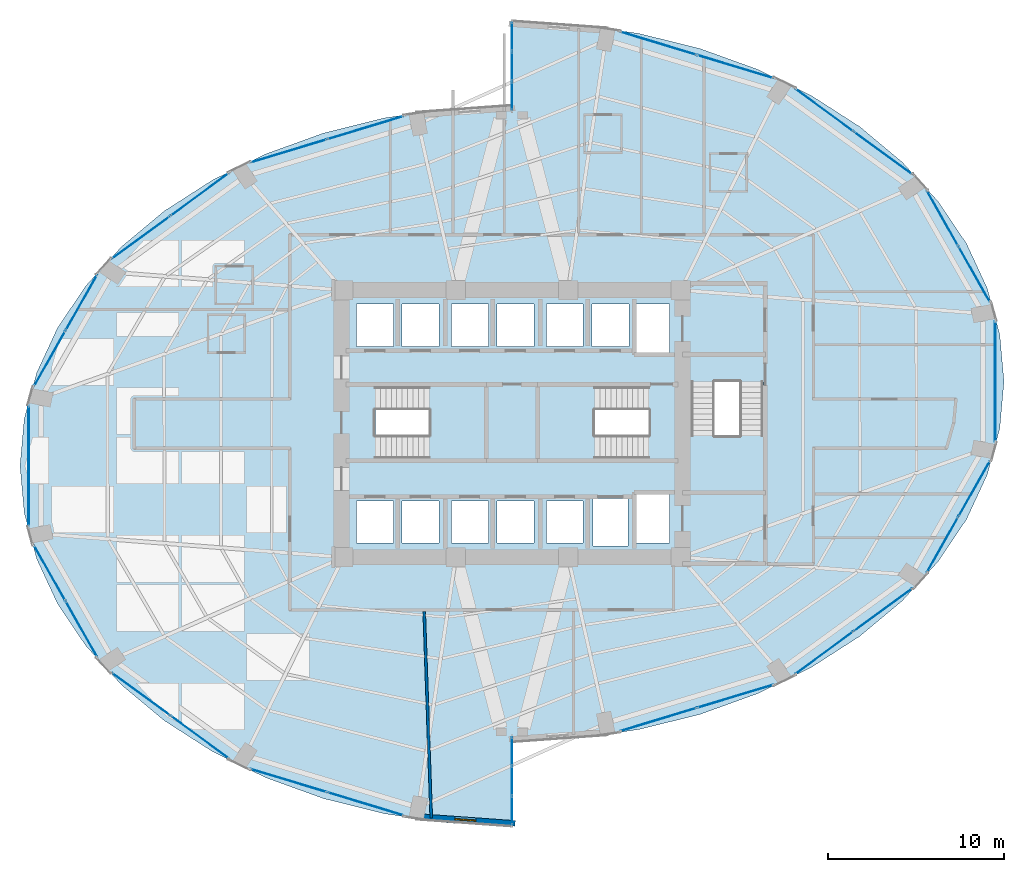
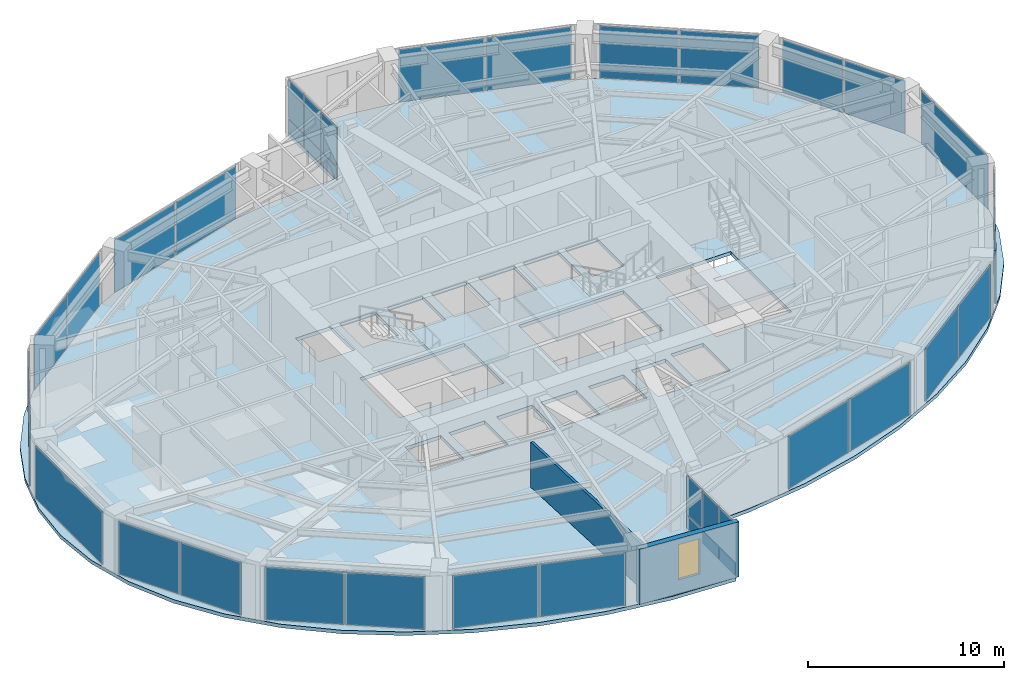
# One storey, part 20 of 25: 38 plates, 4 slabs, 2 walls, 1 window, 1 opening, 19 elements without a shape of their own.
"""IFC4 building model written with IfcOpenShell, lengths in metres."""

from ifc_helpers import new_model, si_unit, direction, frame, frame_2d, origin, origin_2d, place, context, subcontext, project, spatial, polyline, rectangle, outline, extrude, material, layer, layer_set, type_object, element, fill, aggregate, save


model = new_model("IFC4")

# Units and contexts
model_context = context("Model", 3, precision=1e-05, world=origin(), true_north=direction((0.0, 1.0)))
body_context = subcontext(model_context, "Body", "Model", "MODEL_VIEW")
ifc_project = project(units=[si_unit("LENGTHUNIT", "METRE"), si_unit("AREAUNIT", "SQUARE_METRE"), si_unit("VOLUMEUNIT", "CUBIC_METRE"), si_unit("PLANEANGLEUNIT", "RADIAN"), si_unit("MASSUNIT", "GRAM", prefix="KILO")], contexts=[model_context])

# Site, building, storey
site_placement = place(None, origin())
site = spatial("IfcSite", under=ifc_project, at=site_placement, CompositionType="ELEMENT")
building_placement = place(site_placement, origin())
building = spatial("IfcBuilding", under=site, at=building_placement, Name="Lazwardi Medical Tower", CompositionType="ELEMENT")
storey_placement = place(building_placement, frame((0.0, 0.0, 47.087890625)))
storey = spatial("IfcBuildingStorey", under=building, at=storey_placement, Name="L11", CompositionType="ELEMENT", Elevation=47.087890625)

# Curtain wall, plates
ifc_material_1 = material(Name="Anodised bronze aluminium and solar control glazing", Category="aluminium")
ifc_layer_1 = layer(ifc_material_1, 0.199951171875)
ifc_layer_set_1 = layer_set([ifc_layer_1], Name="Anodised bronze aluminium and solar control glazing")
curtain_wall_type_1 = type_object("IfcCurtainWallType", Name="CW-SYS-02", PredefinedType="NOTDEFINED", material=ifc_layer_set_1)
curtain_wall_1_placement = place(storey_placement, origin())
curtain_wall_1 = element("IfcCurtainWall", 1, at=curtain_wall_1_placement, inside=storey, type_object=curtain_wall_type_1, Name="L11 Unitised bronze curtain wall CW-02", PredefinedType="NOTDEFINED")
ifc_material_2 = material(Name="Low-e bronze solar control double glazing", Category="glass")
ifc_layer_2 = layer(ifc_material_2, 0.035888671875)
ifc_layer_set_2 = layer_set([ifc_layer_2], Name="Low-e bronze solar control double glazing")
plate_type_1 = type_object("IfcPlateType", Name="PLT-GLZ-01", PredefinedType="CURTAIN_PANEL", material=ifc_layer_set_2)
plate_1_placement = place(storey_placement, frame((44.335693359375, 11.158935546875, 0.0751953125), z_axis=(0.0, 0.0, 1.0), x_axis=(0.957058247129, 0.2898956909, 0.0)))
plate_1 = element("IfcPlate", 2, at=plate_1_placement, type_object=plate_type_1, Name="CW-02 panel 1.1", PredefinedType="CURTAIN_PANEL", context=body_context, shape_type="SweptSolid", body=[
    extrude(rectangle(XDim=4.49658203125, YDim=0.035888671875, at=origin_2d()), origin(), (0.0, 0.0, 1.0), 3.278076171875),
])
plate_2_placement = place(storey_placement, frame((48.7109375, 12.484130859375, 0.0751953125), z_axis=(0.0, 0.0, 1.0), x_axis=(0.957058247129, 0.2898956909, 0.0)))
plate_2 = element("IfcPlate", 3, at=plate_2_placement, type_object=plate_type_1, Name="CW-02 panel 2.1", PredefinedType="CURTAIN_PANEL", context=body_context, shape_type="SweptSolid", body=[
    extrude(rectangle(XDim=4.49658203125, YDim=0.035888671875, at=origin_2d()), origin(), (0.0, 0.0, 1.0), 3.278076171875),
])
aggregate(curtain_wall_1, [plate_1, plate_2])

curtain_wall_2_placement = place(storey_placement, origin())
curtain_wall_2 = element("IfcCurtainWall", 4, at=curtain_wall_2_placement, inside=storey, type_object=curtain_wall_type_1, Name="L11 Unitised bronze curtain wall CW-02", PredefinedType="NOTDEFINED")
plate_3_placement = place(storey_placement, frame((53.771484375, 14.957275390625, 0.0751953125), z_axis=(0.0, 0.0, 1.0), x_axis=(0.807191757663, 0.590289307341, 0.0)))
plate_3 = element("IfcPlate", 5, at=plate_3_placement, type_object=plate_type_1, Name="CW-02 panel 1.1", PredefinedType="CURTAIN_PANEL", context=body_context, shape_type="SweptSolid", body=[
    extrude(rectangle(XDim=4.070068359375, YDim=0.035888671875, at=origin_2d()), origin(), (0.0, 0.0, 1.0), 3.278076171875),
])
plate_4_placement = place(storey_placement, frame((57.117431640625, 17.404052734375, 0.0751953125), z_axis=(0.0, 0.0, 1.0), x_axis=(0.807191757663, 0.590289307341, 0.0)))
plate_4 = element("IfcPlate", 6, at=plate_4_placement, type_object=plate_type_1, Name="CW-02 panel 2.1", PredefinedType="CURTAIN_PANEL", context=body_context, shape_type="SweptSolid", body=[
    extrude(rectangle(XDim=4.070068359375, YDim=0.035888671875, at=origin_2d()), origin(), (0.0, 0.0, 1.0), 3.278076171875),
])
aggregate(curtain_wall_2, [plate_3, plate_4])

curtain_wall_3_placement = place(storey_placement, origin())
curtain_wall_3 = element("IfcCurtainWall", 7, at=curtain_wall_3_placement, inside=storey, type_object=curtain_wall_type_1, Name="L11 Unitised bronze curtain wall CW-02", PredefinedType="NOTDEFINED")
plate_5_placement = place(storey_placement, frame((60.5009765625, 21.10791015625, 0.0751953125), z_axis=(0.0, 0.0, 1.0), x_axis=(0.492854327303, 0.870111838823, 0.0)))
plate_5 = element("IfcPlate", 8, at=plate_5_placement, type_object=plate_type_1, Name="CW-02 panel 1.1", PredefinedType="CURTAIN_PANEL", context=body_context, shape_type="SweptSolid", body=[
    extrude(rectangle(XDim=3.5947265625, YDim=0.035888671875, at=origin_2d()), origin(), (0.0, 0.0, 1.0), 3.278076171875),
])
plate_6_placement = place(storey_placement, frame((62.3095703125, 24.301025390625, 0.0751953125), z_axis=(0.0, 0.0, 1.0), x_axis=(0.492854327303, 0.870111838823, 0.0)))
plate_6 = element("IfcPlate", 9, at=plate_6_placement, type_object=plate_type_1, Name="CW-02 panel 2.1", PredefinedType="CURTAIN_PANEL", context=body_context, shape_type="SweptSolid", body=[
    extrude(rectangle(XDim=3.5947265625, YDim=0.035888671875, at=origin_2d()), origin(), (0.0, 0.0, 1.0), 3.278076171875),
])
aggregate(curtain_wall_3, [plate_5, plate_6])

# Curtain wall, plate
curtain_wall_4_placement = place(storey_placement, origin())
curtain_wall_4 = element("IfcCurtainWall", 10, at=curtain_wall_4_placement, inside=storey, type_object=curtain_wall_type_1, Name="L11 Unitised bronze curtain wall CW-02", PredefinedType="NOTDEFINED")
plate_7_placement = place(storey_placement, frame((63.49853515625, 30.39990234375, 0.0751953125), z_axis=(0.0, 0.0, 1.0), x_axis=(0.0, 1.0, 0.0)))
plate_7 = element("IfcPlate", 11, at=plate_7_placement, type_object=plate_type_1, Name="CW-02 panel 1.1", PredefinedType="CURTAIN_PANEL", context=body_context, shape_type="SweptSolid", body=[
    extrude(rectangle(XDim=6.8330078125, YDim=0.035888671875, at=origin_2d()), origin(), (0.0, 0.0, 1.0), 3.278076171875),
])
aggregate(curtain_wall_4, [plate_7])

# Curtain wall, plates
curtain_wall_5_placement = place(storey_placement, origin())
curtain_wall_5 = element("IfcCurtainWall", 12, at=curtain_wall_5_placement, inside=storey, type_object=curtain_wall_type_1, Name="L11 Unitised bronze curtain wall CW-02", PredefinedType="NOTDEFINED")
plate_8_placement = place(storey_placement, frame((62.3095703125, 36.498779296875, 0.0751953125), z_axis=(0.0, 0.0, 1.0), x_axis=(-0.492854327303, 0.870111838823, 0.0)))
plate_8 = element("IfcPlate", 13, at=plate_8_placement, type_object=plate_type_1, Name="CW-02 panel 1.1", PredefinedType="CURTAIN_PANEL", context=body_context, shape_type="SweptSolid", body=[
    extrude(rectangle(XDim=3.5947265625, YDim=0.035888671875, at=origin_2d()), origin(), (0.0, 0.0, 1.0), 3.278076171875),
])
plate_9_placement = place(storey_placement, frame((60.5009765625, 39.69189453125, 0.0751953125), z_axis=(0.0, 0.0, 1.0), x_axis=(-0.492854327303, 0.870111838823, 0.0)))
plate_9 = element("IfcPlate", 14, at=plate_9_placement, type_object=plate_type_1, Name="CW-02 panel 2.1", PredefinedType="CURTAIN_PANEL", context=body_context, shape_type="SweptSolid", body=[
    extrude(rectangle(XDim=3.5947265625, YDim=0.035888671875, at=origin_2d()), origin(), (0.0, 0.0, 1.0), 3.278076171875),
])
aggregate(curtain_wall_5, [plate_8, plate_9])

curtain_wall_6_placement = place(storey_placement, origin())
curtain_wall_6 = element("IfcCurtainWall", 15, at=curtain_wall_6_placement, inside=storey, type_object=curtain_wall_type_1, Name="L11 Unitised bronze curtain wall CW-02", PredefinedType="NOTDEFINED")
plate_10_placement = place(storey_placement, frame((57.117431640625, 43.39599609375, 0.0751953125), z_axis=(0.0, 0.0, 1.0), x_axis=(-0.807191757663, 0.590289307341, 0.0)))
plate_10 = element("IfcPlate", 16, at=plate_10_placement, type_object=plate_type_1, Name="CW-02 panel 1.1", PredefinedType="CURTAIN_PANEL", context=body_context, shape_type="SweptSolid", body=[
    extrude(rectangle(XDim=4.070068359375, YDim=0.035888671875, at=origin_2d()), origin(), (0.0, 0.0, 1.0), 3.278076171875),
])
plate_11_placement = place(storey_placement, frame((53.771484375, 45.8427734375, 0.0751953125), z_axis=(0.0, 0.0, 1.0), x_axis=(-0.807191757663, 0.590289307341, 0.0)))
plate_11 = element("IfcPlate", 17, at=plate_11_placement, type_object=plate_type_1, Name="CW-02 panel 2.1", PredefinedType="CURTAIN_PANEL", context=body_context, shape_type="SweptSolid", body=[
    extrude(rectangle(XDim=4.070068359375, YDim=0.035888671875, at=origin_2d()), origin(), (0.0, 0.0, 1.0), 3.278076171875),
])
aggregate(curtain_wall_6, [plate_10, plate_11])

curtain_wall_7_placement = place(storey_placement, origin())
curtain_wall_7 = element("IfcCurtainWall", 18, at=curtain_wall_7_placement, inside=storey, type_object=curtain_wall_type_1, Name="L11 Unitised bronze curtain wall CW-02", PredefinedType="NOTDEFINED")
plate_12_placement = place(storey_placement, frame((48.7109375, 48.31591796875, 0.0751953125), z_axis=(0.0, 0.0, 1.0), x_axis=(-0.957058247129, 0.2898956909, 0.0)))
plate_12 = element("IfcPlate", 19, at=plate_12_placement, type_object=plate_type_1, Name="CW-02 panel 1.1", PredefinedType="CURTAIN_PANEL", context=body_context, shape_type="SweptSolid", body=[
    extrude(rectangle(XDim=4.49658203125, YDim=0.035888671875, at=origin_2d()), origin(), (0.0, 0.0, 1.0), 3.278076171875),
])
plate_13_placement = place(storey_placement, frame((44.335693359375, 49.64111328125, 0.0751953125), z_axis=(0.0, 0.0, 1.0), x_axis=(-0.957058247129, 0.2898956909, 0.0)))
plate_13 = element("IfcPlate", 20, at=plate_13_placement, type_object=plate_type_1, Name="CW-02 panel 2.1", PredefinedType="CURTAIN_PANEL", context=body_context, shape_type="SweptSolid", body=[
    extrude(rectangle(XDim=4.49658203125, YDim=0.035888671875, at=origin_2d()), origin(), (0.0, 0.0, 1.0), 3.278076171875),
])
aggregate(curtain_wall_7, [plate_12, plate_13])

curtain_wall_8_placement = place(storey_placement, origin())
curtain_wall_8 = element("IfcCurtainWall", 21, at=curtain_wall_8_placement, inside=storey, type_object=curtain_wall_type_1, Name="L11 Unitised bronze curtain wall CW-02", PredefinedType="NOTDEFINED")
plate_14_placement = place(storey_placement, frame((27.664306640625, 44.841064453125, 0.0751953125), z_axis=(0.0, 0.0, 1.0), x_axis=(-0.957058247129, -0.2898956909, 0.0)))
plate_14 = element("IfcPlate", 22, at=plate_14_placement, type_object=plate_type_1, Name="CW-02 panel 1.1", PredefinedType="CURTAIN_PANEL", context=body_context, shape_type="SweptSolid", body=[
    extrude(rectangle(XDim=4.49658203125, YDim=0.035888671875, at=origin_2d()), origin(), (0.0, 0.0, 1.0), 3.278076171875),
])
plate_15_placement = place(storey_placement, frame((23.2890625, 43.515869140625, 0.0751953125), z_axis=(0.0, 0.0, 1.0), x_axis=(-0.957058247129, -0.2898956909, 0.0)))
plate_15 = element("IfcPlate", 23, at=plate_15_placement, type_object=plate_type_1, Name="CW-02 panel 2.1", PredefinedType="CURTAIN_PANEL", context=body_context, shape_type="SweptSolid", body=[
    extrude(rectangle(XDim=4.49658203125, YDim=0.035888671875, at=origin_2d()), origin(), (0.0, 0.0, 1.0), 3.278076171875),
])
aggregate(curtain_wall_8, [plate_14, plate_15])

curtain_wall_9_placement = place(storey_placement, origin())
curtain_wall_9 = element("IfcCurtainWall", 24, at=curtain_wall_9_placement, inside=storey, type_object=curtain_wall_type_1, Name="L11 Unitised bronze curtain wall CW-02", PredefinedType="NOTDEFINED")
plate_16_placement = place(storey_placement, frame((18.228515625, 41.042724609375, 0.0751953125), z_axis=(0.0, 0.0, 1.0), x_axis=(-0.807191757663, -0.590289307341, 0.0)))
plate_16 = element("IfcPlate", 25, at=plate_16_placement, type_object=plate_type_1, Name="CW-02 panel 1.1", PredefinedType="CURTAIN_PANEL", context=body_context, shape_type="SweptSolid", body=[
    extrude(rectangle(XDim=4.070068359375, YDim=0.035888671875, at=origin_2d()), origin(), (0.0, 0.0, 1.0), 3.278076171875),
])
plate_17_placement = place(storey_placement, frame((14.882568359375, 38.595947265625, 0.0751953125), z_axis=(0.0, 0.0, 1.0), x_axis=(-0.807191757663, -0.590289307341, 0.0)))
plate_17 = element("IfcPlate", 26, at=plate_17_placement, type_object=plate_type_1, Name="CW-02 panel 2.1", PredefinedType="CURTAIN_PANEL", context=body_context, shape_type="SweptSolid", body=[
    extrude(rectangle(XDim=4.070068359375, YDim=0.035888671875, at=origin_2d()), origin(), (0.0, 0.0, 1.0), 3.278076171875),
])
aggregate(curtain_wall_9, [plate_16, plate_17])

curtain_wall_10_placement = place(storey_placement, origin())
curtain_wall_10 = element("IfcCurtainWall", 27, at=curtain_wall_10_placement, inside=storey, type_object=curtain_wall_type_1, Name="L11 Unitised bronze curtain wall CW-02", PredefinedType="NOTDEFINED")
plate_18_placement = place(storey_placement, frame((11.4990234375, 34.89208984375, 0.0751953125), z_axis=(0.0, 0.0, 1.0), x_axis=(-0.492854327303, -0.870111838823, 0.0)))
plate_18 = element("IfcPlate", 28, at=plate_18_placement, type_object=plate_type_1, Name="CW-02 panel 1.1", PredefinedType="CURTAIN_PANEL", context=body_context, shape_type="SweptSolid", body=[
    extrude(rectangle(XDim=3.5947265625, YDim=0.035888671875, at=origin_2d()), origin(), (0.0, 0.0, 1.0), 3.278076171875),
])
plate_19_placement = place(storey_placement, frame((9.6904296875, 31.698974609375, 0.0751953125), z_axis=(0.0, 0.0, 1.0), x_axis=(-0.492854327303, -0.870111838823, 0.0)))
plate_19 = element("IfcPlate", 29, at=plate_19_placement, type_object=plate_type_1, Name="CW-02 panel 2.1", PredefinedType="CURTAIN_PANEL", context=body_context, shape_type="SweptSolid", body=[
    extrude(rectangle(XDim=3.5947265625, YDim=0.035888671875, at=origin_2d()), origin(), (0.0, 0.0, 1.0), 3.278076171875),
])
aggregate(curtain_wall_10, [plate_18, plate_19])

# Curtain wall, plate
curtain_wall_11_placement = place(storey_placement, origin())
curtain_wall_11 = element("IfcCurtainWall", 30, at=curtain_wall_11_placement, inside=storey, type_object=curtain_wall_type_1, Name="L11 Unitised bronze curtain wall CW-02", PredefinedType="NOTDEFINED")
plate_20_placement = place(storey_placement, frame((8.50146484375, 25.60009765625, 0.0751953125), z_axis=(0.0, 0.0, 1.0), x_axis=(0.0, -1.0, 0.0)))
plate_20 = element("IfcPlate", 31, at=plate_20_placement, type_object=plate_type_1, Name="CW-02 panel 1.1", PredefinedType="CURTAIN_PANEL", context=body_context, shape_type="SweptSolid", body=[
    extrude(rectangle(XDim=6.8330078125, YDim=0.035888671875, at=origin_2d()), origin(), (0.0, 0.0, 1.0), 3.278076171875),
])
aggregate(curtain_wall_11, [plate_20])

# Curtain wall, plates
curtain_wall_12_placement = place(storey_placement, origin())
curtain_wall_12 = element("IfcCurtainWall", 32, at=curtain_wall_12_placement, inside=storey, type_object=curtain_wall_type_1, Name="L11 Unitised bronze curtain wall CW-02", PredefinedType="NOTDEFINED")
plate_21_placement = place(storey_placement, frame((9.6904296875, 19.501220703125, 0.0751953125), z_axis=(0.0, 0.0, 1.0), x_axis=(0.492854327303, -0.870111838823, 0.0)))
plate_21 = element("IfcPlate", 33, at=plate_21_placement, type_object=plate_type_1, Name="CW-02 panel 1.1", PredefinedType="CURTAIN_PANEL", context=body_context, shape_type="SweptSolid", body=[
    extrude(rectangle(XDim=3.5947265625, YDim=0.035888671875, at=origin_2d()), origin(), (0.0, 0.0, 1.0), 3.278076171875),
])
plate_22_placement = place(storey_placement, frame((11.4990234375, 16.30810546875, 0.0751953125), z_axis=(0.0, 0.0, 1.0), x_axis=(0.492854327303, -0.870111838823, 0.0)))
plate_22 = element("IfcPlate", 34, at=plate_22_placement, type_object=plate_type_1, Name="CW-02 panel 2.1", PredefinedType="CURTAIN_PANEL", context=body_context, shape_type="SweptSolid", body=[
    extrude(rectangle(XDim=3.5947265625, YDim=0.035888671875, at=origin_2d()), origin(), (0.0, 0.0, 1.0), 3.278076171875),
])
aggregate(curtain_wall_12, [plate_21, plate_22])

curtain_wall_13_placement = place(storey_placement, origin())
curtain_wall_13 = element("IfcCurtainWall", 35, at=curtain_wall_13_placement, inside=storey, type_object=curtain_wall_type_1, Name="L11 Unitised bronze curtain wall CW-02", PredefinedType="NOTDEFINED")
plate_23_placement = place(storey_placement, frame((14.882568359375, 12.60400390625, 0.0751953125), z_axis=(0.0, 0.0, 1.0), x_axis=(0.807191757663, -0.590289307341, 0.0)))
plate_23 = element("IfcPlate", 36, at=plate_23_placement, type_object=plate_type_1, Name="CW-02 panel 1.1", PredefinedType="CURTAIN_PANEL", context=body_context, shape_type="SweptSolid", body=[
    extrude(rectangle(XDim=4.070068359375, YDim=0.035888671875, at=origin_2d()), origin(), (0.0, 0.0, 1.0), 3.278076171875),
])
plate_24_placement = place(storey_placement, frame((18.228515625, 10.1572265625, 0.0751953125), z_axis=(0.0, 0.0, 1.0), x_axis=(0.807191757663, -0.590289307341, 0.0)))
plate_24 = element("IfcPlate", 37, at=plate_24_placement, type_object=plate_type_1, Name="CW-02 panel 2.1", PredefinedType="CURTAIN_PANEL", context=body_context, shape_type="SweptSolid", body=[
    extrude(rectangle(XDim=4.070068359375, YDim=0.035888671875, at=origin_2d()), origin(), (0.0, 0.0, 1.0), 3.278076171875),
])
aggregate(curtain_wall_13, [plate_23, plate_24])

curtain_wall_14_placement = place(storey_placement, origin())
curtain_wall_14 = element("IfcCurtainWall", 38, at=curtain_wall_14_placement, inside=storey, type_object=curtain_wall_type_1, Name="L11 Unitised bronze curtain wall CW-02", PredefinedType="NOTDEFINED")
plate_25_placement = place(storey_placement, frame((23.2890625, 7.68408203125, 0.0751953125), z_axis=(0.0, 0.0, 1.0), x_axis=(0.957058247129, -0.2898956909, 0.0)))
plate_25 = element("IfcPlate", 39, at=plate_25_placement, type_object=plate_type_1, Name="CW-02 panel 1.1", PredefinedType="CURTAIN_PANEL", context=body_context, shape_type="SweptSolid", body=[
    extrude(rectangle(XDim=4.49658203125, YDim=0.035888671875, at=origin_2d()), origin(), (0.0, 0.0, 1.0), 3.278076171875),
])
plate_26_placement = place(storey_placement, frame((27.664306640625, 6.35888671875, 0.0751953125), z_axis=(0.0, 0.0, 1.0), x_axis=(0.957058247129, -0.2898956909, 0.0)))
plate_26 = element("IfcPlate", 40, at=plate_26_placement, type_object=plate_type_1, Name="CW-02 panel 2.1", PredefinedType="CURTAIN_PANEL", context=body_context, shape_type="SweptSolid", body=[
    extrude(rectangle(XDim=4.49658203125, YDim=0.035888671875, at=origin_2d()), origin(), (0.0, 0.0, 1.0), 3.278076171875),
])
aggregate(curtain_wall_14, [plate_25, plate_26])

ifc_layer_3 = layer(ifc_material_1, 0.2099609375)
ifc_layer_set_3 = layer_set([ifc_layer_3], Name="Anodised bronze aluminium and solar control glazing")
curtain_wall_type_2 = type_object("IfcCurtainWallType", Name="CW-SYS-06", PredefinedType="NOTDEFINED", material=ifc_layer_set_3)
curtain_wall_15_placement = place(storey_placement, origin())
curtain_wall_15 = element("IfcCurtainWall", 41, at=curtain_wall_15_placement, inside=storey, type_object=curtain_wall_type_2, Name="L11 Unitised bronze curtain wall CW-06", PredefinedType="NOTDEFINED")
ifc_material_3 = material(Name="Turquoise glazed ceramic insulated panel", Category="glass")
ifc_layer_4 = layer(ifc_material_3, 0.053955078125)
ifc_layer_set_4 = layer_set([ifc_layer_4], Name="Turquoise glazed ceramic insulated panel")
plate_type_2 = type_object("IfcPlateType", Name="PLT-TRQ-01", PredefinedType="CURTAIN_PANEL", material=ifc_layer_set_4)
plate_27_placement = place(storey_placement, frame((36.0, 50.02783203125, 0.074951171875), z_axis=(0.0, 0.0, 1.0), x_axis=(0.0, -1.0, 0.0)))
plate_27 = element("IfcPlate", 42, at=plate_27_placement, type_object=plate_type_2, Name="CW-06 panel 1.1", PredefinedType="CURTAIN_PANEL", context=body_context, shape_type="SweptSolid", body=[
    extrude(rectangle(XDim=1.59423828125, YDim=0.053955078125, at=origin_2d()), origin(), (0.0, 0.0, 1.0), 0.78759765625),
])
plate_28_placement = place(storey_placement, frame((36.0, 50.02783203125, 0.9375), z_axis=(0.0, 0.0, 1.0), x_axis=(0.0, -1.0, 0.0)))
plate_28 = element("IfcPlate", 43, at=plate_28_placement, type_object=plate_type_2, Name="CW-06 panel 1.2", PredefinedType="CURTAIN_PANEL", context=body_context, shape_type="SweptSolid", body=[
    extrude(rectangle(XDim=1.59423828125, YDim=0.053955078125, at=origin_2d()), origin(), (0.0, 0.0, 1.0), 2.41552734375),
])
plate_29_placement = place(storey_placement, frame((36.0, 48.340087890625, 0.074951171875), z_axis=(0.0, 0.0, 1.0), x_axis=(0.0, -1.0, 0.0)))
plate_29 = element("IfcPlate", 44, at=plate_29_placement, type_object=plate_type_2, Name="CW-06 panel 2.1", PredefinedType="CURTAIN_PANEL", context=body_context, shape_type="SweptSolid", body=[
    extrude(rectangle(XDim=1.631591796875, YDim=0.053955078125, at=origin_2d()), origin(), (0.0, 0.0, 1.0), 0.78759765625),
])
plate_30_placement = place(storey_placement, frame((36.0, 48.340087890625, 0.9375), z_axis=(0.0, 0.0, 1.0), x_axis=(0.0, -1.0, 0.0)))
plate_30 = element("IfcPlate", 45, at=plate_30_placement, type_object=plate_type_2, Name="CW-06 panel 2.2", PredefinedType="CURTAIN_PANEL", context=body_context, shape_type="SweptSolid", body=[
    extrude(rectangle(XDim=1.631591796875, YDim=0.053955078125, at=origin_2d()), origin(), (0.0, 0.0, 1.0), 2.41552734375),
])
plate_31_placement = place(storey_placement, frame((36.0, 46.652099609375, 0.074951171875), z_axis=(0.0, 0.0, 1.0), x_axis=(0.0, -1.0, 0.0)))
plate_31 = element("IfcPlate", 46, at=plate_31_placement, type_object=plate_type_2, Name="CW-06 panel 3.1", PredefinedType="CURTAIN_PANEL", context=body_context, shape_type="SweptSolid", body=[
    extrude(rectangle(XDim=1.59423828125, YDim=0.053955078125, at=origin_2d()), origin(), (0.0, 0.0, 1.0), 0.78759765625),
])
plate_32_placement = place(storey_placement, frame((36.0, 46.652099609375, 0.9375), z_axis=(0.0, 0.0, 1.0), x_axis=(0.0, -1.0, 0.0)))
plate_32 = element("IfcPlate", 47, at=plate_32_placement, type_object=plate_type_2, Name="CW-06 panel 3.2", PredefinedType="CURTAIN_PANEL", context=body_context, shape_type="SweptSolid", body=[
    extrude(rectangle(XDim=1.59423828125, YDim=0.053955078125, at=origin_2d()), origin(), (0.0, 0.0, 1.0), 2.41552734375),
])
aggregate(curtain_wall_15, [plate_27, plate_28, plate_29, plate_30, plate_31, plate_32])

curtain_wall_16_placement = place(storey_placement, origin())
curtain_wall_16 = element("IfcCurtainWall", 48, at=curtain_wall_16_placement, inside=storey, type_object=curtain_wall_type_2, Name="L11 Unitised bronze curtain wall CW-06", PredefinedType="NOTDEFINED")
plate_33_placement = place(storey_placement, frame((36.0, 5.97216796875, 0.074951171875), z_axis=(0.0, 0.0, 1.0), x_axis=(0.0, 1.0, 0.0)))
plate_33 = element("IfcPlate", 49, at=plate_33_placement, type_object=plate_type_2, Name="CW-06 panel 1.1", PredefinedType="CURTAIN_PANEL", context=body_context, shape_type="SweptSolid", body=[
    extrude(rectangle(XDim=1.59423828125, YDim=0.053955078125, at=origin_2d()), origin(), (0.0, 0.0, 1.0), 0.78759765625),
])
plate_34_placement = place(storey_placement, frame((36.0, 5.97216796875, 0.9375), z_axis=(0.0, 0.0, 1.0), x_axis=(0.0, 1.0, 0.0)))
plate_34 = element("IfcPlate", 50, at=plate_34_placement, type_object=plate_type_2, Name="CW-06 panel 1.2", PredefinedType="CURTAIN_PANEL", context=body_context, shape_type="SweptSolid", body=[
    extrude(rectangle(XDim=1.59423828125, YDim=0.053955078125, at=origin_2d()), origin(), (0.0, 0.0, 1.0), 2.41552734375),
])
plate_35_placement = place(storey_placement, frame((36.0, 7.659912109375, 0.074951171875), z_axis=(0.0, 0.0, 1.0), x_axis=(0.0, 1.0, 0.0)))
plate_35 = element("IfcPlate", 51, at=plate_35_placement, type_object=plate_type_2, Name="CW-06 panel 2.1", PredefinedType="CURTAIN_PANEL", context=body_context, shape_type="SweptSolid", body=[
    extrude(rectangle(XDim=1.631591796875, YDim=0.053955078125, at=origin_2d()), origin(), (0.0, 0.0, 1.0), 0.78759765625),
])
plate_36_placement = place(storey_placement, frame((36.0, 7.659912109375, 0.9375), z_axis=(0.0, 0.0, 1.0), x_axis=(0.0, 1.0, 0.0)))
plate_36 = element("IfcPlate", 52, at=plate_36_placement, type_object=plate_type_2, Name="CW-06 panel 2.2", PredefinedType="CURTAIN_PANEL", context=body_context, shape_type="SweptSolid", body=[
    extrude(rectangle(XDim=1.631591796875, YDim=0.053955078125, at=origin_2d()), origin(), (0.0, 0.0, 1.0), 2.41552734375),
])
plate_37_placement = place(storey_placement, frame((36.0, 9.347900390625, 0.074951171875), z_axis=(0.0, 0.0, 1.0), x_axis=(0.0, 1.0, 0.0)))
plate_37 = element("IfcPlate", 53, at=plate_37_placement, type_object=plate_type_2, Name="CW-06 panel 3.1", PredefinedType="CURTAIN_PANEL", context=body_context, shape_type="SweptSolid", body=[
    extrude(rectangle(XDim=1.59423828125, YDim=0.053955078125, at=origin_2d()), origin(), (0.0, 0.0, 1.0), 0.78759765625),
])
plate_38_placement = place(storey_placement, frame((36.0, 9.347900390625, 0.9375), z_axis=(0.0, 0.0, 1.0), x_axis=(0.0, 1.0, 0.0)))
plate_38 = element("IfcPlate", 54, at=plate_38_placement, type_object=plate_type_2, Name="CW-06 panel 3.2", PredefinedType="CURTAIN_PANEL", context=body_context, shape_type="SweptSolid", body=[
    extrude(rectangle(XDim=1.59423828125, YDim=0.053955078125, at=origin_2d()), origin(), (0.0, 0.0, 1.0), 2.41552734375),
])
aggregate(curtain_wall_16, [plate_33, plate_34, plate_35, plate_36, plate_37, plate_38])

# Stair, slab
ifc_material_4 = material(Name="Concrete C45/55", Category="concrete")
stair_type = type_object("IfcStairType", Name="STR-WRD", PredefinedType="HALF_TURN_STAIR", material=ifc_material_4)
stair_1_placement = place(storey_placement, origin())
stair_1 = element("IfcStair", 55, at=stair_1_placement, inside=storey, type_object=stair_type, Name="L11 Protected Exit Stair ST1", PredefinedType="HALF_TURN_STAIR")
ifc_layer_5 = layer(ifc_material_4, 0.199951171875)
ifc_layer_set_5 = layer_set([ifc_layer_5], Name="Concrete C45/55")
slab_type_1 = type_object("IfcSlabType", Name="SLB-LND-190", PredefinedType="LANDING", material=ifc_layer_set_5)
slab_1_placement = place(storey_placement, frame((0.0, 0.0, 1.6240234375)))
slab_1 = element("IfcSlab", 56, at=slab_1_placement, type_object=slab_type_1, Name="ST1 landing 1", PredefinedType="LANDING", context=body_context, shape_type="SweptSolid", body=[
    extrude(outline(polyline([(31.27490234375, 25.840087890625), (34.580078125, 25.840087890625), (34.580078125, 30.280029296875), (31.27490234375, 30.280029296875), (31.27490234375, 25.840087890625)])), origin(), (0.0, 0.0, 1.0), 0.2001953125),
])
aggregate(stair_1, [slab_1])

stair_2_placement = place(storey_placement, origin())
stair_2 = element("IfcStair", 57, at=stair_2_placement, inside=storey, type_object=stair_type, Name="L11 Protected Exit Stair ST2", PredefinedType="HALF_TURN_STAIR")
slab_2_placement = place(storey_placement, frame((0.0, 0.0, 1.6240234375)))
slab_2 = element("IfcSlab", 58, at=slab_2_placement, type_object=slab_type_1, Name="ST2 landing 1", PredefinedType="LANDING", context=body_context, shape_type="SweptSolid", body=[
    extrude(outline(polyline([(40.72509765625, 30.280029296875), (37.419921875, 30.280029296875), (37.419921875, 25.840087890625), (40.72509765625, 25.840087890625), (40.72509765625, 30.280029296875)])), origin(), (0.0, 0.0, 1.0), 0.2001953125),
])
aggregate(stair_2, [slab_2])

stair_3_placement = place(storey_placement, origin())
stair_3 = element("IfcStair", 59, at=stair_3_placement, inside=storey, type_object=stair_type, Name="L11 Protected Exit Stair ST3", PredefinedType="HALF_TURN_STAIR")
slab_3_placement = place(storey_placement, frame((0.0, 0.0, 1.6240234375)))
slab_3 = element("IfcSlab", 60, at=slab_3_placement, type_object=slab_type_1, Name="ST3 landing 1", PredefinedType="LANDING", context=body_context, shape_type="SweptSolid", body=[
    extrude(outline(polyline([(45.860107421875, 27.324951171875), (45.860107421875, 24.02001953125), (50.4599609375, 24.02001953125), (50.4599609375, 27.324951171875), (45.860107421875, 27.324951171875)])), origin(), (0.0, 0.0, 1.0), 0.2001953125),
])
aggregate(stair_3, [slab_3])

# Slab
ifc_material_5 = material(Name="Concrete C50/60", Category="concrete")
ifc_layer_6 = layer(ifc_material_5, 0.219970703125)
ifc_layer_set_6 = layer_set([ifc_layer_6], Name="Concrete C50/60")
slab_type_2 = type_object("IfcSlabType", Name="SLB-WRD-220", PredefinedType="FLOOR", material=ifc_layer_set_6)
slab_4_placement = place(storey_placement, frame((0.0, 0.0, -0.219970703125)))
element("IfcSlab", 61, at=slab_4_placement, inside=storey, type_object=slab_type_2, Name="Structural floor slab SF-03 L11", PredefinedType="FLOOR", context=body_context, shape_type="SweptSolid", body=[
    extrude(outline(polyline([(10.13134765625, 33.445068359375), (8.9541015625, 30.90576171875), (8.239501953125, 28.27587890625), (8.0, 25.60009765625), (8.239501953125, 22.92431640625), (8.9541015625, 20.294189453125), (10.13134765625, 17.7548828125), (11.751220703125, 15.35009765625), (13.7861328125, 13.120361328125), (16.200927734375, 11.104248046875), (18.95458984375, 9.336181640625), (22.0, 7.846435546875), (25.284912109375, 6.660400390625), (28.753173828125, 5.798583984375), (32.34521484375, 5.275390625), (36.0, 5.10009765625), (36.0, 9.89990234375), (39.65478515625, 10.075439453125), (43.246826171875, 10.598388671875), (46.715087890625, 11.46044921875), (50.0, 12.646484375), (53.04541015625, 14.13623046875), (55.799072265625, 15.904296875), (58.2138671875, 17.92041015625), (60.248779296875, 20.14990234375), (61.86865234375, 22.554931640625), (63.0458984375, 25.09423828125), (63.760498046875, 27.72412109375), (64.0, 30.39990234375), (63.760498046875, 33.07568359375), (63.0458984375, 35.705810546875), (61.86865234375, 38.2451171875), (60.248779296875, 40.64990234375), (58.2138671875, 42.879638671875), (55.799072265625, 44.895751953125), (53.04541015625, 46.663818359375), (50.0, 48.153564453125), (46.715087890625, 49.339599609375), (43.246826171875, 50.201416015625), (39.65478515625, 50.724609375), (36.0, 50.89990234375), (36.0, 46.10009765625), (32.34521484375, 45.924560546875), (28.753173828125, 45.401611328125), (25.284912109375, 44.53955078125), (22.0, 43.353515625), (18.95458984375, 41.86376953125), (16.200927734375, 40.095703125), (13.7861328125, 38.07958984375), (11.751220703125, 35.85009765625), (10.13134765625, 33.445068359375)]), holes=[polyline([(28.22509765625, 26.02001953125), (28.22509765625, 30.10009765625), (34.39990234375, 30.10009765625), (34.39990234375, 26.02001953125), (28.22509765625, 26.02001953125)]), polyline([(37.60009765625, 30.10009765625), (43.77490234375, 30.10009765625), (43.77490234375, 26.02001953125), (37.60009765625, 26.02001953125), (37.60009765625, 30.10009765625)]), polyline([(50.280029296875, 30.375), (50.280029296875, 24.179931640625), (45.840087890625, 24.179931640625), (45.840087890625, 30.375), (50.280029296875, 30.375)]), polyline([(29.25, 32.39990234375), (27.14990234375, 32.39990234375), (27.14990234375, 34.800048828125), (29.25, 34.800048828125), (29.25, 32.39990234375)]), polyline([(29.75, 32.39990234375), (29.75, 34.800048828125), (31.85009765625, 34.800048828125), (31.85009765625, 32.39990234375), (29.75, 32.39990234375)]), polyline([(27.14990234375, 23.60009765625), (29.25, 23.60009765625), (29.25, 21.199951171875), (27.14990234375, 21.199951171875), (27.14990234375, 23.60009765625)]), polyline([(31.85009765625, 23.60009765625), (31.85009765625, 21.199951171875), (29.75, 21.199951171875), (29.75, 23.60009765625), (31.85009765625, 23.60009765625)]), polyline([(34.64990234375, 32.39990234375), (32.550048828125, 32.39990234375), (32.550048828125, 34.800048828125), (34.64990234375, 34.800048828125), (34.64990234375, 32.39990234375)]), polyline([(35.14990234375, 32.39990234375), (35.14990234375, 34.800048828125), (37.25, 34.800048828125), (37.25, 32.39990234375), (35.14990234375, 32.39990234375)]), polyline([(32.550048828125, 23.60009765625), (34.64990234375, 23.60009765625), (34.64990234375, 21.199951171875), (32.550048828125, 21.199951171875), (32.550048828125, 23.60009765625)]), polyline([(37.25, 23.60009765625), (37.25, 21.199951171875), (35.14990234375, 21.199951171875), (35.14990234375, 23.60009765625), (37.25, 23.60009765625)]), polyline([(40.050048828125, 32.39990234375), (37.949951171875, 32.39990234375), (37.949951171875, 34.800048828125), (40.050048828125, 34.800048828125), (40.050048828125, 32.39990234375)]), polyline([(40.550048828125, 32.39990234375), (40.550048828125, 34.800048828125), (42.64990234375, 34.800048828125), (42.64990234375, 32.39990234375), (40.550048828125, 32.39990234375)]), polyline([(37.949951171875, 23.60009765625), (40.050048828125, 23.60009765625), (40.050048828125, 21.199951171875), (37.949951171875, 21.199951171875), (37.949951171875, 23.60009765625)]), polyline([(44.949951171875, 34.800048828125), (44.949951171875, 32.0), (43.050048828125, 32.0), (43.050048828125, 34.800048828125), (44.949951171875, 34.800048828125)]), polyline([(44.949951171875, 21.199951171875), (43.050048828125, 21.199951171875), (43.050048828125, 24.0), (44.949951171875, 24.0), (44.949951171875, 21.199951171875)]), polyline([(40.60009765625, 21.050048828125), (40.60009765625, 23.75), (42.60009765625, 23.75), (42.60009765625, 21.050048828125), (40.60009765625, 21.050048828125)])]), origin(), (0.0, 0.0, 1.0), 0.219970703125),
])

# Wall, opening, window
ifc_material_6 = material(Name="Precast concrete C45/55", Category="concrete")
ifc_layer_7 = layer(ifc_material_6, 0.320068359375)
ifc_layer_set_7 = layer_set([ifc_layer_7], Name="Precast concrete C45/55")
wall_type_1 = type_object("IfcWallType", Name="WL-IWAN-320", PredefinedType="SOLIDWALL", material=ifc_layer_set_7)
wall_1_placement = place(storey_placement, frame((30.518798828125, 5.654296875, 0.0), z_axis=(0.0, 0.0, 1.0), x_axis=(0.997421878774, -0.071760683825, 0.0)))
wall_1 = element("IfcWall", 62, at=wall_1_placement, inside=storey, type_object=wall_type_1, Name="L11 Iwan Portal Return Wall SW_ret", PredefinedType="SOLIDWALL", context=body_context, shape_type="SweptSolid", body=[
    extrude(rectangle(XDim=5.6748046875, YDim=0.320068359375, at=frame_2d((2.83740234375, 0.0))), origin(), (0.0, 0.0, 1.0), 3.42822265625),
])
opening_placement = place(wall_1_placement, frame((2.2373046875, 0.0, 0.85009765625)))
opening = element("IfcOpeningElement", 63, at=opening_placement, cuts=wall_1, Name="Opening WN-01", PredefinedType="OPENING", context=body_context, shape_type="SweptSolid", body=[
    extrude(rectangle(XDim=1.199951171875, YDim=2.199951171875, at=frame_2d((0.60009765625, 1.10009765625))), frame((0.0, 0.169921875, 0.0), z_axis=(0.0, -1.0, 0.0), x_axis=(1.0, 0.0, 0.0)), (0.0, 0.0, 1.0), 0.340087890625),
])
window_type = type_object("IfcWindowType", Name="WIN-IW-1200", PartitioningType="SINGLE_PANEL", PredefinedType="WINDOW", material=ifc_material_2)
window_placement = place(opening_placement, origin())
window = element("IfcWindow", 64, at=window_placement, inside=storey, type_object=window_type, Name="L11 Iwan Slot Window SW_ret", OverallHeight=2.199951171875, OverallWidth=1.199951171875, PartitioningType="SINGLE_PANEL", PredefinedType="WINDOW", context=body_context, shape_type="SweptSolid", body=[
    extrude(rectangle(XDim=1.199951171875, YDim=2.199951171875, at=frame_2d((0.60009765625, 1.10009765625))), frame((0.0, 0.030029296875, 0.0), z_axis=(0.0, -1.0, 0.0), x_axis=(1.0, 0.0, 0.0)), (0.0, 0.0, 1.0), 0.06005859375),
])
fill(opening, window)

# Wall
ifc_material_7 = material(Name="Acoustic gypsum board partition")
ifc_layer_8 = layer(ifc_material_7, 0.14990234375)
ifc_layer_set_8 = layer_set([ifc_layer_8], Name="Acoustic gypsum board partition")
wall_type_2 = type_object("IfcWallType", Name="WL-WRD-150", PredefinedType="PARTITIONING", material=ifc_layer_set_8)
wall_2_placement = place(storey_placement, frame((31.405029296875, 5.55908203125, 0.0), z_axis=(0.0, 0.0, 1.0), x_axis=(-0.034219123574, 0.9994143543, 0.0)))
element("IfcWall", 65, at=wall_2_placement, inside=storey, type_object=wall_type_2, Name="L11 Room partition 12", PredefinedType="PARTITIONING", context=body_context, shape_type="SweptSolid", body=[
    extrude(rectangle(XDim=11.7578125, YDim=0.14990234375, at=frame_2d((5.87890625, 0.0))), origin(), (0.0, 0.0, 1.0), 2.81298828125),
])

save(model, "model.ifc")
